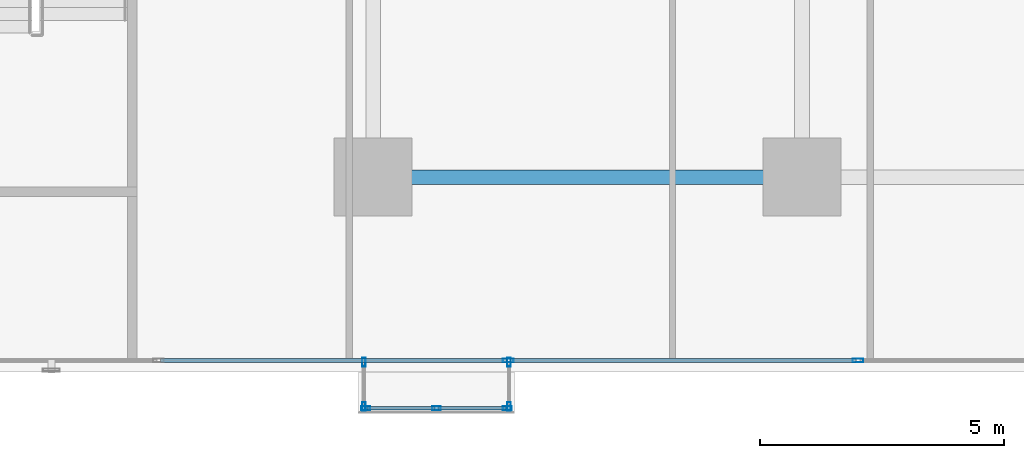
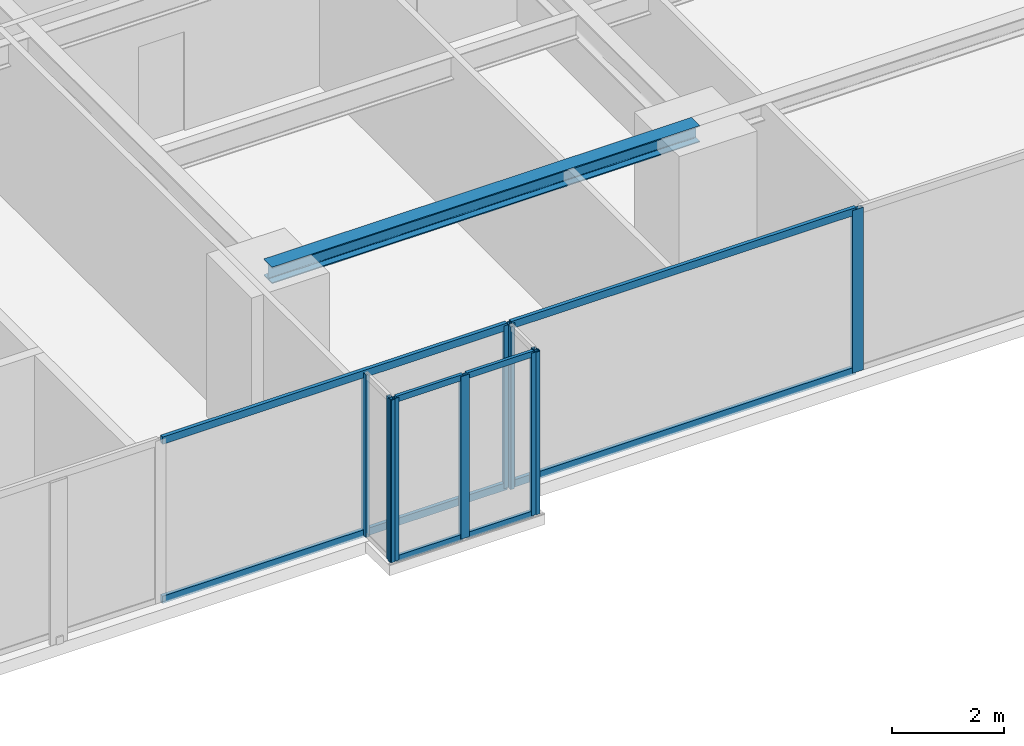
# One storey, part 9 of 30: 17 members, 1 beam, 4 elements without a shape of their own.
"""IFC4 building model written with IfcOpenShell, lengths in metres."""

from ifc_helpers import new_model, si_unit, direction, frame, origin, origin_with_axes, origin_2d, place, context, subcontext, project, spatial, hollow_rectangle, i_section, extrude, source, transform, mapped, material, layer, layer_set, material_profile, profile_set, type_object, element, aggregate, save


model = new_model("IFC4")

# Units and contexts
model_context = context("Model", 3, precision=1e-05, world=origin(), true_north=direction((0.0, 1.0)))
body_context = subcontext(model_context, "Body", "Model", "MODEL_VIEW")
ifc_project = project(units=[si_unit("LENGTHUNIT", "METRE"), si_unit("AREAUNIT", "SQUARE_METRE"), si_unit("VOLUMEUNIT", "CUBIC_METRE"), si_unit("PLANEANGLEUNIT", "RADIAN"), si_unit("MASSUNIT", "GRAM", prefix="KILO")], contexts=[model_context])

# Site, building, storey
site_placement = place(None, origin())
site = spatial("IfcSite", under=ifc_project, at=site_placement, CompositionType="ELEMENT")
building_placement = place(site_placement, origin())
building = spatial("IfcBuilding", under=site, at=building_placement, Name="Kolvaren Waterfront Exchange", CompositionType="ELEMENT")
storey_placement = place(building_placement, frame((0.0, 0.0, 71.39990234375)))
storey = spatial("IfcBuildingStorey", under=building, at=storey_placement, Name="L18", CompositionType="ELEMENT", Elevation=71.39990234375)

# Beam
ifc_material_1 = material(Name="Steel S355", Category="steel")
ifc_material_profile_1 = material_profile(ifc_material_1, i_section(OverallWidth=0.300048828125, OverallDepth=0.360107421875, WebThickness=0.012451171875, FlangeThickness=0.0224609375, FilletRadius=0.027099609375, at=origin_2d()), Name="HEB360")
ifc_profile_set_1 = profile_set([ifc_material_profile_1], Name="Steel S355")
beam_type = type_object("IfcBeamType", Name="STR-BM-HEB360", PredefinedType="SPANDREL", material=ifc_profile_set_1)
beam_placement = place(storey_placement, frame((36.800048828125, 5.199951171875, 3.360107421875), z_axis=(1.0, 0.0, 0.0), x_axis=(0.0, 1.0, 0.0)))
element("IfcBeam", 1, at=beam_placement, inside=storey, type_object=beam_type, Name="L18 east-arm spandrel S3", PredefinedType="SPANDREL", context=body_context, shape_type="SweptSolid", body=[
    extrude(i_section(OverallWidth=0.300048828125, OverallDepth=0.360107421875, WebThickness=0.012451171875, FlangeThickness=0.0224609375, FilletRadius=0.027099609375, at=origin_2d()), origin(), (0.0, 0.0, 1.0), 8.800048828125),
])

# Curtain wall, members
ifc_material_2 = material(Name="Anodised bronze aluminium 6063-T6", Category="aluminium")
ifc_layer_1 = layer(ifc_material_2, 0.219970703125, Name="Anodised bronze aluminium 6063-T6")
ifc_layer_set_1 = layer_set([ifc_layer_1], Name="Anodised bronze aluminium 6063-T6")
curtain_wall_type_1 = type_object("IfcCurtainWallType", Name="ARC-CW-SYS1", PredefinedType="USERDEFINED", material=ifc_layer_set_1)
curtain_wall_1_placement = place(storey_placement, origin())
curtain_wall_1 = element("IfcCurtainWall", 2, at=curtain_wall_1_placement, inside=storey, type_object=curtain_wall_type_1, Name="L18 stick curtain wall CW1 (CW-L18-S)", ObjectType="STICK CURTAIN WALL", PredefinedType="USERDEFINED")
ifc_material_3 = material(Name="Anodised aluminium 6063-T6", Category="aluminium")
ifc_material_profile_2 = material_profile(ifc_material_3, hollow_rectangle(XDim=0.074951171875, YDim=0.159912109375, WallThickness=0.00439453125, at=origin_2d()), Name="ALU-TRN-160x75x4.5")
ifc_profile_set_2 = profile_set([ifc_material_profile_2], Name="Anodised aluminium 6063-T6")
member_type_1 = type_object("IfcMemberType", Name="ARC-CWT-160", PredefinedType="USERDEFINED", material=ifc_profile_set_2)
shared_shape_1 = source(origin_with_axes(), body_context, "Body", "SweptSolid", [
    extrude(hollow_rectangle(XDim=0.074951171875, YDim=0.159912109375, WallThickness=0.00439453125, at=origin_2d()), origin(), (0.0, 0.0, 1.0), 7.094970703125),
])
member_1_placement = place(storey_placement, frame((32.43994140625, 1.43994140625, 0.03759765625), z_axis=(1.0, 0.0, 0.0), x_axis=(0.0, 1.0, 0.0)))
member_1 = element("IfcMember", 3, at=member_1_placement, type_object=member_type_1, Name="CW1 transom 5.1", ObjectType="TRANSOM", PredefinedType="USERDEFINED", context=body_context, shape_type="MappedRepresentation", body=[
    mapped(shared_shape_1, transform((0.0, 0.0, 0.0), x_axis=(1.0, 0.0, 0.0), y_axis=(0.0, 1.0, 0.0), z_axis=(0.0, 0.0, 1.0), scale=1.0)),
])
member_2_placement = place(storey_placement, frame((32.43994140625, 1.43994140625, 3.502685546875), z_axis=(1.0, 0.0, 0.0), x_axis=(0.0, 1.0, 0.0)))
member_2 = element("IfcMember", 4, at=member_2_placement, type_object=member_type_1, Name="CW1 transom 5.2", ObjectType="TRANSOM", PredefinedType="USERDEFINED", context=body_context, shape_type="MappedRepresentation", body=[
    mapped(shared_shape_1, transform((0.0, 0.0, 0.0), x_axis=(1.0, 0.0, 0.0), y_axis=(0.0, 1.0, 0.0), z_axis=(0.0, 0.0, 1.0), scale=1.0)),
])
member_3_placement = place(storey_placement, frame((39.614990234375, 1.43994140625, 0.03759765625), z_axis=(1.0, 0.0, 0.0), x_axis=(0.0, 1.0, 0.0)))
member_3 = element("IfcMember", 5, at=member_3_placement, type_object=member_type_1, Name="CW1 transom 6.1", ObjectType="TRANSOM", PredefinedType="USERDEFINED", context=body_context, shape_type="MappedRepresentation", body=[
    mapped(shared_shape_1, transform((0.0, 0.0, 0.0), x_axis=(1.0, 0.0, 0.0), y_axis=(0.0, 1.0, 0.0), z_axis=(0.0, 0.0, 1.0), scale=1.0)),
])
member_4_placement = place(storey_placement, frame((39.614990234375, 1.43994140625, 3.502685546875), z_axis=(1.0, 0.0, 0.0), x_axis=(0.0, 1.0, 0.0)))
member_4 = element("IfcMember", 6, at=member_4_placement, type_object=member_type_1, Name="CW1 transom 6.2", ObjectType="TRANSOM", PredefinedType="USERDEFINED", context=body_context, shape_type="MappedRepresentation", body=[
    mapped(shared_shape_1, transform((0.0, 0.0, 0.0), x_axis=(1.0, 0.0, 0.0), y_axis=(0.0, 1.0, 0.0), z_axis=(0.0, 0.0, 1.0), scale=1.0)),
])

ifc_layer_2 = layer(ifc_material_2, 0.219970703125, Name="Anodised bronze aluminium 6063-T6")
ifc_layer_set_2 = layer_set([ifc_layer_2], Name="Anodised bronze aluminium 6063-T6")
curtain_wall_type_2 = type_object("IfcCurtainWallType", Name="ARC-CW-SYS3", PredefinedType="USERDEFINED", material=ifc_layer_set_2)
curtain_wall_2_placement = place(storey_placement, origin())
curtain_wall_2 = element("IfcCurtainWall", 7, at=curtain_wall_2_placement, inside=storey, type_object=curtain_wall_type_2, Name="L18 stick curtain wall CW3 (CW-L18-BOX-W)", ObjectType="STICK CURTAIN WALL", PredefinedType="USERDEFINED")
ifc_material_profile_3 = material_profile(ifc_material_2, hollow_rectangle(XDim=0.074951171875, YDim=0.179931640625, WallThickness=0.00439453125, at=origin_2d()), Name="ALU-MUL-180x75x4.5")
ifc_profile_set_3 = profile_set([ifc_material_profile_3], Name="Anodised bronze aluminium 6063-T6")
member_type_2 = type_object("IfcMemberType", Name="ARC-CWM-180", PredefinedType="MULLION", material=ifc_profile_set_3)
shared_shape_2 = source(origin_with_axes(), body_context, "Body", "SweptSolid", [
    extrude(hollow_rectangle(XDim=0.074951171875, YDim=0.179931640625, WallThickness=0.00439453125, at=origin_2d()), origin(), (0.0, 0.0, 1.0), 3.5400390625),
])
member_5_placement = place(storey_placement, frame((36.610107421875, 1.402587890625, 0.0), z_axis=(0.0, 0.0, 1.0), x_axis=(1.0, 0.0, 0.0)))
member_5 = element("IfcMember", 8, at=member_5_placement, type_object=member_type_2, Name="CW3 mullion 1", PredefinedType="MULLION", context=body_context, shape_type="MappedRepresentation", body=[
    mapped(shared_shape_2, transform((0.0, 0.0, 0.0), x_axis=(1.0, 0.0, 0.0), y_axis=(0.0, 1.0, 0.0), z_axis=(0.0, 0.0, 1.0), scale=1.0)),
])
member_6_placement = place(storey_placement, frame((36.610107421875, 0.49755859375, 0.0), z_axis=(0.0, 0.0, 1.0), x_axis=(1.0, 0.0, 0.0)))
member_6 = element("IfcMember", 9, at=member_6_placement, type_object=member_type_2, Name="CW3 mullion 2", PredefinedType="MULLION", context=body_context, shape_type="MappedRepresentation", body=[
    mapped(shared_shape_2, transform((0.0, 0.0, 0.0), x_axis=(1.0, 0.0, 0.0), y_axis=(0.0, 1.0, 0.0), z_axis=(0.0, 0.0, 1.0), scale=1.0)),
])
aggregate(curtain_wall_2, [member_5, member_6])

curtain_wall_3_placement = place(storey_placement, origin())
curtain_wall_3 = element("IfcCurtainWall", 10, at=curtain_wall_3_placement, inside=storey, type_object=curtain_wall_type_2, Name="L18 stick curtain wall CW3 (CW-L18-BOX)", ObjectType="STICK CURTAIN WALL", PredefinedType="USERDEFINED")
member_7_placement = place(storey_placement, frame((36.6474609375, 0.4599609375, 0.0), z_axis=(0.0, 0.0, 1.0), x_axis=(0.0, 1.0, 0.0)))
member_7 = element("IfcMember", 11, at=member_7_placement, type_object=member_type_2, Name="CW3 mullion 1", PredefinedType="MULLION", context=body_context, shape_type="MappedRepresentation", body=[
    mapped(shared_shape_2, transform((0.0, 0.0, 0.0), x_axis=(1.0, 0.0, 0.0), y_axis=(0.0, 1.0, 0.0), z_axis=(0.0, 0.0, 1.0), scale=1.0)),
])
member_8_placement = place(storey_placement, frame((38.10009765625, 0.4599609375, 0.0), z_axis=(0.0, 0.0, 1.0), x_axis=(0.0, 1.0, 0.0)))
member_8 = element("IfcMember", 12, at=member_8_placement, type_object=member_type_2, Name="CW3 mullion 2", PredefinedType="MULLION", context=body_context, shape_type="MappedRepresentation", body=[
    mapped(shared_shape_2, transform((0.0, 0.0, 0.0), x_axis=(1.0, 0.0, 0.0), y_axis=(0.0, 1.0, 0.0), z_axis=(0.0, 0.0, 1.0), scale=1.0)),
])
member_9_placement = place(storey_placement, frame((39.552490234375, 0.4599609375, 0.0), z_axis=(0.0, 0.0, 1.0), x_axis=(0.0, 1.0, 0.0)))
member_9 = element("IfcMember", 13, at=member_9_placement, type_object=member_type_2, Name="CW3 mullion 3", PredefinedType="MULLION", context=body_context, shape_type="MappedRepresentation", body=[
    mapped(shared_shape_2, transform((0.0, 0.0, 0.0), x_axis=(1.0, 0.0, 0.0), y_axis=(0.0, 1.0, 0.0), z_axis=(0.0, 0.0, 1.0), scale=1.0)),
])

curtain_wall_4_placement = place(storey_placement, origin())
curtain_wall_4 = element("IfcCurtainWall", 14, at=curtain_wall_4_placement, inside=storey, type_object=curtain_wall_type_2, Name="L18 stick curtain wall CW3 (CW-L18-BOX-E)", ObjectType="STICK CURTAIN WALL", PredefinedType="USERDEFINED")
member_10_placement = place(storey_placement, frame((39.590087890625, 0.49755859375, 0.0), z_axis=(0.0, 0.0, 1.0), x_axis=(-1.0, 0.0, 0.0)))
member_10 = element("IfcMember", 15, at=member_10_placement, type_object=member_type_2, Name="CW3 mullion 1", PredefinedType="MULLION", context=body_context, shape_type="MappedRepresentation", body=[
    mapped(shared_shape_2, transform((0.0, 0.0, 0.0), x_axis=(1.0, 0.0, 0.0), y_axis=(0.0, 1.0, 0.0), z_axis=(0.0, 0.0, 1.0), scale=1.0)),
])
member_11_placement = place(storey_placement, frame((39.590087890625, 1.402587890625, 0.0), z_axis=(0.0, 0.0, 1.0), x_axis=(-1.0, 0.0, 0.0)))
member_11 = element("IfcMember", 16, at=member_11_placement, type_object=member_type_2, Name="CW3 mullion 2", PredefinedType="MULLION", context=body_context, shape_type="MappedRepresentation", body=[
    mapped(shared_shape_2, transform((0.0, 0.0, 0.0), x_axis=(1.0, 0.0, 0.0), y_axis=(0.0, 1.0, 0.0), z_axis=(0.0, 0.0, 1.0), scale=1.0)),
])
aggregate(curtain_wall_4, [member_10, member_11])

# Member
ifc_material_profile_4 = material_profile(ifc_material_2, hollow_rectangle(XDim=0.06494140625, YDim=0.1298828125, WallThickness=0.00390625, at=origin_2d()), Name="ALU-TRN-130x65x4")
ifc_profile_set_4 = profile_set([ifc_material_profile_4], Name="Anodised bronze aluminium 6063-T6")
member_type_3 = type_object("IfcMemberType", Name="ARC-CWT-130", PredefinedType="USERDEFINED", material=ifc_profile_set_4)
shared_shape_3 = source(origin_with_axes(), body_context, "Body", "SweptSolid", [
    extrude(hollow_rectangle(XDim=0.06494140625, YDim=0.1298828125, WallThickness=0.00390625, at=origin_2d()), origin(), (0.0, 0.0, 1.0), 1.37744140625),
])
member_12_placement = place(storey_placement, frame((36.68505859375, 0.4599609375, 0.03271484375), z_axis=(1.0, 0.0, 0.0), x_axis=(0.0, 1.0, 0.0)))
member_12 = element("IfcMember", 17, at=member_12_placement, type_object=member_type_3, Name="CW3 transom 1.1", ObjectType="TRANSOM", PredefinedType="USERDEFINED", context=body_context, shape_type="MappedRepresentation", body=[
    mapped(shared_shape_3, transform((0.0, 0.0, 0.0), x_axis=(1.0, 0.0, 0.0), y_axis=(0.0, 1.0, 0.0), z_axis=(0.0, 0.0, 1.0), scale=1.0)),
])

member_13_placement = place(storey_placement, frame((36.68505859375, 0.4599609375, 3.507568359375), z_axis=(1.0, 0.0, 0.0), x_axis=(0.0, 1.0, 0.0)))
member_13 = element("IfcMember", 18, at=member_13_placement, type_object=member_type_3, Name="CW3 transom 1.2", ObjectType="TRANSOM", PredefinedType="USERDEFINED", context=body_context, shape_type="MappedRepresentation", body=[
    mapped(shared_shape_3, transform((0.0, 0.0, 0.0), x_axis=(1.0, 0.0, 0.0), y_axis=(0.0, 1.0, 0.0), z_axis=(0.0, 0.0, 1.0), scale=1.0)),
])

member_14_placement = place(storey_placement, frame((38.137451171875, 0.4599609375, 0.03271484375), z_axis=(1.0, 0.0, 0.0), x_axis=(0.0, 1.0, 0.0)))
member_14 = element("IfcMember", 19, at=member_14_placement, type_object=member_type_3, Name="CW3 transom 2.1", ObjectType="TRANSOM", PredefinedType="USERDEFINED", context=body_context, shape_type="MappedRepresentation", body=[
    mapped(shared_shape_3, transform((0.0, 0.0, 0.0), x_axis=(1.0, 0.0, 0.0), y_axis=(0.0, 1.0, 0.0), z_axis=(0.0, 0.0, 1.0), scale=1.0)),
])

member_15_placement = place(storey_placement, frame((38.137451171875, 0.4599609375, 3.507568359375), z_axis=(1.0, 0.0, 0.0), x_axis=(0.0, 1.0, 0.0)))
member_15 = element("IfcMember", 20, at=member_15_placement, type_object=member_type_3, Name="CW3 transom 2.2", ObjectType="TRANSOM", PredefinedType="USERDEFINED", context=body_context, shape_type="MappedRepresentation", body=[
    mapped(shared_shape_3, transform((0.0, 0.0, 0.0), x_axis=(1.0, 0.0, 0.0), y_axis=(0.0, 1.0, 0.0), z_axis=(0.0, 0.0, 1.0), scale=1.0)),
])

aggregate(curtain_wall_3, [member_7, member_8, member_9, member_12, member_13, member_14, member_15])

ifc_material_profile_5 = material_profile(ifc_material_3, hollow_rectangle(XDim=0.080078125, YDim=0.219970703125, WallThickness=0.0048828125, at=origin_2d()), Name="ALU-MUL-220x80x5")
ifc_profile_set_5 = profile_set([ifc_material_profile_5], Name="Anodised aluminium 6063-T6")
member_type_4 = type_object("IfcMemberType", Name="ARC-CWM-220", PredefinedType="MULLION", material=ifc_profile_set_5)
shared_shape_4 = source(origin_with_axes(), body_context, "Body", "SweptSolid", [
    extrude(hollow_rectangle(XDim=0.080078125, YDim=0.219970703125, WallThickness=0.0048828125, at=origin_2d()), origin(), (0.0, 0.0, 1.0), 3.5400390625),
])
member_16_placement = place(storey_placement, frame((39.574951171875, 1.43994140625, 0.0), z_axis=(0.0, 0.0, 1.0), x_axis=(0.0, 1.0, 0.0)))
member_16 = element("IfcMember", 21, at=member_16_placement, type_object=member_type_4, Name="CW1 mullion 6", PredefinedType="MULLION", context=body_context, shape_type="MappedRepresentation", body=[
    mapped(shared_shape_4, transform((0.0, 0.0, 0.0), x_axis=(1.0, 0.0, 0.0), y_axis=(0.0, 1.0, 0.0), z_axis=(0.0, 0.0, 1.0), scale=1.0)),
])

member_17_placement = place(storey_placement, frame((46.75, 1.43994140625, 0.0), z_axis=(0.0, 0.0, 1.0), x_axis=(0.0, 1.0, 0.0)))
member_17 = element("IfcMember", 22, at=member_17_placement, type_object=member_type_4, Name="CW1 mullion 7", PredefinedType="MULLION", context=body_context, shape_type="MappedRepresentation", body=[
    mapped(shared_shape_4, transform((0.0, 0.0, 0.0), x_axis=(1.0, 0.0, 0.0), y_axis=(0.0, 1.0, 0.0), z_axis=(0.0, 0.0, 1.0), scale=1.0)),
])

aggregate(curtain_wall_1, [member_16, member_17, member_1, member_2, member_3, member_4])

save(model, "model.ifc")
